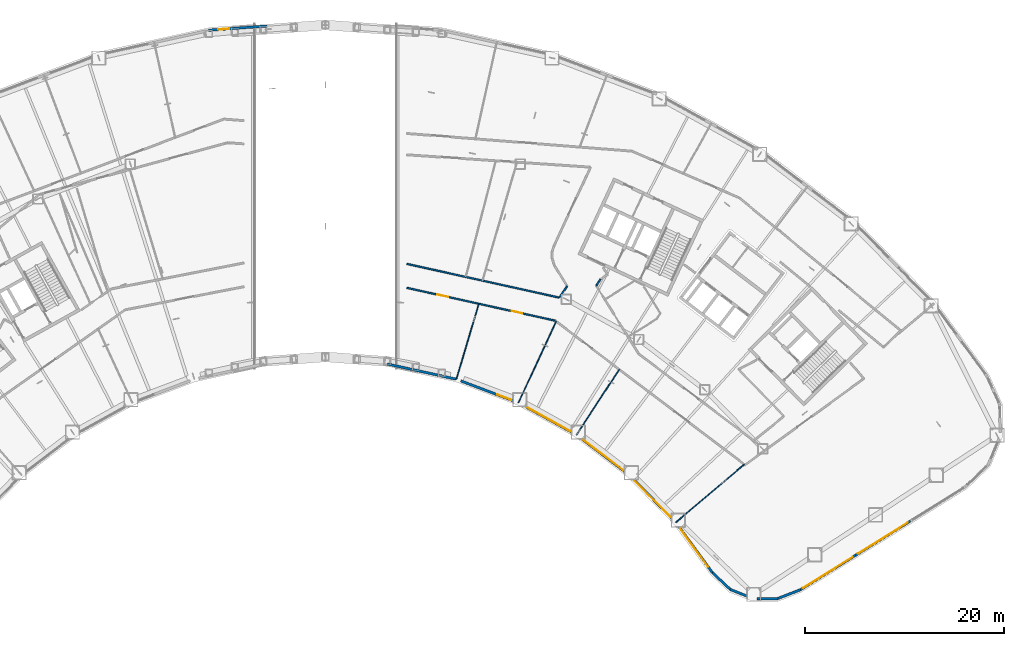
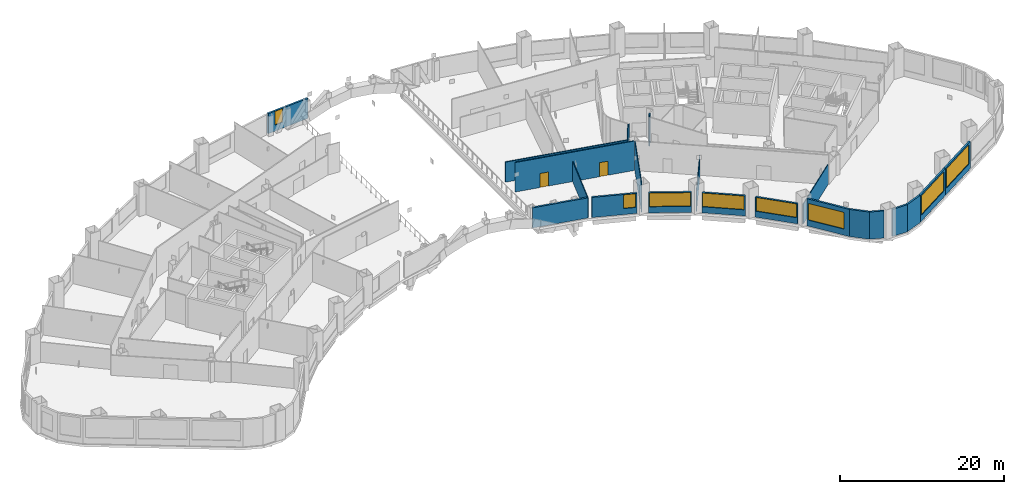
# One storey, part 9 of 24: 21 walls, 8 windows, 2 doors, 10 openings.
"""IFC4 building model written with IfcOpenShell, lengths in metres."""

import ifcopenshell
import ifcopenshell.guid

model = None  # the IFC model being written
_history = None  # IfcOwnerHistory: only IFC2X3 demands one
_inside = {}  # id of a spatial element -> (the spatial element, [elements in it])
_under = {}  # id of a project, library or spatial element -> (it, [spatial elements below it])
_declared = {}  # id of a project -> (the project, [libraries it declares])
_typed = {}  # id of a type object -> (the type object, [elements of that type])
_made_of = {}  # id of a material, layer set ... -> (it, [elements and type objects made of it])


def new_model(schema):
    """Start an empty IFC model of exactly this schema.

    Asked for "IFC4X3", IfcOpenShell would pick the latest addendum, in which some entities
    have other attributes; the version numbers below select the first issue.
    IFC2X3 requires an IfcOwnerHistory on every rooted entity: one is made here for all.
    """
    global model, _history
    if schema == "IFC4X3":
        model = ifcopenshell.file(schema_version=(4, 3, 0, 0))
    else:
        model = ifcopenshell.file(schema=schema)
    _inside.clear()
    _under.clear()
    _declared.clear()
    _typed.clear()
    _made_of.clear()
    _history = None
    if model.schema == "IFC2X3":
        org = make("IfcOrganization", Name="unknown")
        user = make(
            "IfcPersonAndOrganization",
            ThePerson=make("IfcPerson", FamilyName="unknown"),
            TheOrganization=org,
        )
        app = make(
            "IfcApplication",
            ApplicationDeveloper=org,
            Version="unknown",
            ApplicationFullName="unknown",
            ApplicationIdentifier="unknown",
        )
        _history = make(
            "IfcOwnerHistory",
            OwningUser=user,
            OwningApplication=app,
            ChangeAction="ADDED",
            CreationDate=0,
        )
    return model


def make(cls, **values):
    """One entity of the class cls with the attributes given. An attribute that is None is left unset."""
    return model.create_entity(
        cls, **{name: value for name, value in values.items() if value is not None}
    )


def rooted(cls, **values):
    """An entity with a GlobalId (a new one), such as an element, a storey or a relation."""
    return make(cls, GlobalId=ifcopenshell.guid.new(), OwnerHistory=_history, **values)


def si_unit(unit_type, name, prefix=None):
    """IfcSIUnit, for example si_unit("LENGTHUNIT", "METRE", prefix="MILLI")."""
    return make("IfcSIUnit", UnitType=unit_type, Prefix=prefix, Name=name)


def assignment(units):
    """IfcUnitAssignment: the units of a project."""
    return None if units is None else make("IfcUnitAssignment", Units=units)


def point(xyz):
    """IfcCartesianPoint."""
    return None if xyz is None else make("IfcCartesianPoint", Coordinates=xyz)


def direction(xyz):
    """IfcDirection."""
    return None if xyz is None else make("IfcDirection", DirectionRatios=xyz)


def frame(location, z_axis=None, x_axis=None):
    """IfcAxis2Placement3D, a coordinate frame: its origin and axes. An axis left out is left unset."""
    return make(
        "IfcAxis2Placement3D",
        Location=point(location),
        Axis=direction(z_axis),
        RefDirection=direction(x_axis),
    )


def frame_2d(location, x_axis=None):
    """IfcAxis2Placement2D, a coordinate frame in the plane: its origin and x axis."""
    return make(
        "IfcAxis2Placement2D", Location=point(location), RefDirection=direction(x_axis)
    )


def origin():
    """The frame at (0, 0, 0) with its axes left unset."""
    return frame((0.0, 0.0, 0.0))


def place(relative_to, where):
    """IfcLocalPlacement: puts the frame where relative to a parent placement (None: the world)."""
    return make(
        "IfcLocalPlacement", PlacementRelTo=relative_to, RelativePlacement=where
    )


def context(
    kind, dimensions, precision=None, world=None, true_north=None, identifier=None
):
    """IfcGeometricRepresentationContext, for example the 3D "Model" context."""
    return make(
        "IfcGeometricRepresentationContext",
        ContextIdentifier=identifier,
        ContextType=kind,
        CoordinateSpaceDimension=dimensions,
        Precision=precision,
        WorldCoordinateSystem=world,
        TrueNorth=true_north,
    )


def subcontext(parent, identifier, kind, view, scale=None):
    """IfcGeometricRepresentationSubContext, for example "Body" below "Model"."""
    return make(
        "IfcGeometricRepresentationSubContext",
        ContextIdentifier=identifier,
        ContextType=kind,
        ParentContext=parent,
        TargetScale=scale,
        TargetView=view,
    )


def project(units=None, contexts=None):
    """IfcProject with its units and contexts."""
    return rooted(
        "IfcProject",
        Name="project",
        RepresentationContexts=contexts,
        UnitsInContext=assignment(units),
    )


def spatial(cls, under=None, at=None, **own):
    """A site, building, storey or space (cls), placed at a placement, below another one or the project."""
    s = rooted(cls, ObjectPlacement=at, **own)
    if under is not None:
        _under.setdefault(under.id(), (under, []))[1].append(s)
    return s


def profile(cls, at=None, kind="AREA", **sizes):
    """A parametric profile (cls). Its sizes go by their IFC names, for example OverallWidth=200.0."""
    return make(cls, ProfileType=kind, Position=at, **sizes)


def rectangle(**sizes):
    """IfcRectangleProfileDef."""
    return profile("IfcRectangleProfileDef", **sizes)


def extrude(swept, where, along, depth):
    """IfcExtrudedAreaSolid: the profile swept, set in the frame where, extruded along a direction by depth."""
    return make(
        "IfcExtrudedAreaSolid",
        SweptArea=swept,
        Position=where,
        ExtrudedDirection=direction(along),
        Depth=depth,
    )


def shape(context_of_items, identifier, shape_type, items):
    """IfcShapeRepresentation: the items that make up one representation, for example the "Body"."""
    return make(
        "IfcShapeRepresentation",
        ContextOfItems=context_of_items,
        RepresentationIdentifier=identifier,
        RepresentationType=shape_type,
        Items=items,
    )


def material(Name=None, Category=None):
    """IfcMaterial."""
    return make("IfcMaterial", Name=Name, Category=Category)


def layer(
    of_material, thickness, ventilated=None, Name=None, Category=None, Priority=None
):
    """IfcMaterialLayer: one layer of a wall or slab, of a material (None: an air gap)."""
    return make(
        "IfcMaterialLayer",
        Material=of_material,
        LayerThickness=thickness,
        IsVentilated=ventilated,
        Name=Name,
        Category=Category,
        Priority=Priority,
    )


def layer_set(layers, Name=None):
    """IfcMaterialLayerSet."""
    return make("IfcMaterialLayerSet", MaterialLayers=layers, LayerSetName=Name)


def made_of(thing, what):
    """Note that an element or type object is made of a material, layer set ...; save() writes the relation."""
    if what is not None:
        _made_of.setdefault(what.id(), (what, []))[1].append(thing)
    return thing


def type_object(cls, material=None, **own):
    """A type object (cls), such as IfcWallType, which elements share."""
    return made_of(rooted(cls, **own), material)


def element(
    cls,
    number,
    at=None,
    inside=None,
    cuts=None,
    type_object=None,
    material=None,
    context=None,
    identifier="Body",
    shape_type=None,
    held_by="IfcProductDefinitionShape",
    body=None,
    shapes=None,
    **own,
):
    """One element of the class cls, such as IfcWall. Its Tag is "e" and its number.

    at: its placement. inside: the storey or other place that contains it. cuts: it is an
    opening in that element (IfcRelVoidsElement). A single representation is given by context,
    identifier, shape_type and body (its items); several are given by shapes. held_by: the class
    of the entity that holds the representations. save() writes the other relations.
    """
    e = rooted(cls, Tag="e%d" % number, ObjectPlacement=at, **own)
    if body is not None:
        shapes = [shape(context, identifier, shape_type, body)]
    if shapes is not None:
        e.Representation = make(held_by, Representations=shapes)
    if inside is not None:
        _inside.setdefault(inside.id(), (inside, []))[1].append(e)
    if cuts is not None:
        rooted(
            "IfcRelVoidsElement", RelatingBuildingElement=cuts, RelatedOpeningElement=e
        )
    if type_object is not None:
        _typed.setdefault(type_object.id(), (type_object, []))[1].append(e)
    return made_of(e, material)


def fill(opening, filler):
    """IfcRelFillsElement: the door or window that sits in an opening."""
    return rooted(
        "IfcRelFillsElement",
        RelatingOpeningElement=opening,
        RelatedBuildingElement=filler,
    )


def aggregate(whole, parts):
    """IfcRelAggregates: a whole, such as a stair, and the parts it consists of."""
    return rooted("IfcRelAggregates", RelatingObject=whole, RelatedObjects=parts)


def save(model, path):
    """Write the relations noted so far, then the file.

    IfcRelAggregates (storeys below a building ...), IfcRelContainedInSpatialStructure (elements
    in a storey), IfcRelDefinesByType, IfcRelAssociatesMaterial and IfcRelDeclares: one each for
    every whole, place, type object, material and project.
    """
    for whole, parts in _under.values():
        aggregate(whole, parts)
    for where, things in _inside.values():
        rooted(
            "IfcRelContainedInSpatialStructure",
            RelatedElements=things,
            RelatingStructure=where,
        )
    for kind, things in _typed.values():
        rooted("IfcRelDefinesByType", RelatedObjects=things, RelatingType=kind)
    for what, things in _made_of.values():
        rooted("IfcRelAssociatesMaterial", RelatedObjects=things, RelatingMaterial=what)
    for by, libraries in _declared.values():
        rooted("IfcRelDeclares", RelatingContext=by, RelatedDefinitions=libraries)
    model.write(path)


model = new_model("IFC4")

# Units and contexts
model_context = context("Model", 3, precision=1e-05, world=origin(), true_north=direction((0.0, 1.0)))
body_context = subcontext(model_context, "Body", "Model", "MODEL_VIEW")
ifc_project = project(units=[si_unit("LENGTHUNIT", "METRE"), si_unit("AREAUNIT", "SQUARE_METRE"), si_unit("VOLUMEUNIT", "CUBIC_METRE"), si_unit("PLANEANGLEUNIT", "RADIAN"), si_unit("MASSUNIT", "GRAM", prefix="KILO")], contexts=[model_context])

# Site, building, storey
site_placement = place(None, origin())
site = spatial("IfcSite", under=ifc_project, at=site_placement, CompositionType="ELEMENT")
building_placement = place(site_placement, origin())
building = spatial("IfcBuilding", under=site, at=building_placement, Name="Tuul Gate Civic Tower", CompositionType="ELEMENT")
storey_placement = place(building_placement, frame((0.0, 0.0, 21.89990234375)))
storey = spatial("IfcBuildingStorey", under=building, at=storey_placement, Name="Level 04", CompositionType="ELEMENT", Elevation=21.89990234375)

# Wall, openings, doors
ifc_material_1 = material(Name="Gypsum board partition")
ifc_layer_1 = layer(ifc_material_1, 0.14990234375)
ifc_layer_set_1 = layer_set([ifc_layer_1], Name="Gypsum board partition")
wall_type_1 = type_object("IfcWallType", Name="Corridor wall P150", PredefinedType="PARTITIONING", material=ifc_layer_set_1)
wall_1_placement = place(storey_placement, frame((8.20068359375, -6.5283203125, 0.0), z_axis=(0.0, 0.0, 1.0), x_axis=(0.976398058089, -0.215978777106, 0.0)))
wall_1 = element("IfcWall", 1, at=wall_1_placement, inside=storey, type_object=wall_type_1, Name="p034", PredefinedType="PARTITIONING", context=body_context, shape_type="SweptSolid", body=[
    extrude(rectangle(XDim=15.26708984375, YDim=0.14990234375, at=frame_2d((7.633544921875, 0.0))), origin(), (0.0, 0.0, 1.0), 4.400146484375),
])
opening_1_placement = place(wall_1_placement, frame((10.788330078125, 0.0, 0.0)))
opening_1 = element("IfcOpeningElement", 2, at=opening_1_placement, cuts=wall_1, Name="Opening QD-D16", PredefinedType="OPENING", context=body_context, shape_type="SweptSolid", body=[
    extrude(rectangle(XDim=1.10009765625, YDim=2.10009765625, at=frame_2d((0.550048828125, 1.050048828125))), frame((0.0, 0.0849609375, 0.0), z_axis=(0.0, -1.0, 0.0), x_axis=(1.0, 0.0, 0.0)), (0.0, 0.0, 1.0), 0.169921875),
])
opening_2_placement = place(wall_1_placement, frame((3.15478515625, 0.0, 0.0)))
opening_2 = element("IfcOpeningElement", 3, at=opening_2_placement, cuts=wall_1, Name="Opening QD-D17", PredefinedType="OPENING", context=body_context, shape_type="SweptSolid", body=[
    extrude(rectangle(XDim=1.10009765625, YDim=2.10009765625, at=frame_2d((0.550048828125, 1.050048828125))), frame((0.0, 0.0849609375, 0.0), z_axis=(0.0, -1.0, 0.0), x_axis=(1.0, 0.0, 0.0)), (0.0, 0.0, 1.0), 0.169921875),
])
ifc_material_2 = material(Name="Timber door leaf", Category="wood")
door_type = type_object("IfcDoorType", Name="Door D11", OperationType="NOTDEFINED", PredefinedType="DOOR", material=ifc_material_2)
door_1_placement = place(opening_1_placement, frame((1.10009765625, 0.0, 0.0), z_axis=(0.0, 0.0, 1.0), x_axis=(-1.0, 0.0, 0.0)))
door_1 = element("IfcDoor", 4, at=door_1_placement, inside=storey, type_object=door_type, Name="Door QD-D16", OperationType="SINGLE_SWING_LEFT", OverallHeight=2.10009765625, OverallWidth=1.10009765625, PredefinedType="DOOR", context=body_context, shape_type="SweptSolid", body=[
    extrude(rectangle(XDim=1.10009765625, YDim=2.10009765625, at=frame_2d((0.550048828125, 1.050048828125))), frame((0.0, 0.02490234375, 0.0), z_axis=(0.0, -1.0, 0.0), x_axis=(1.0, 0.0, 0.0)), (0.0, 0.0, 1.0), 0.050048828125),
])
fill(opening_1, door_1)
door_2_placement = place(opening_2_placement, frame((1.10009765625, 0.0, 0.0), z_axis=(0.0, 0.0, 1.0), x_axis=(-1.0, 0.0, 0.0)))
door_2 = element("IfcDoor", 5, at=door_2_placement, inside=storey, type_object=door_type, Name="Door QD-D17", OperationType="SINGLE_SWING_LEFT", OverallHeight=2.10009765625, OverallWidth=1.10009765625, PredefinedType="DOOR", context=body_context, shape_type="SweptSolid", body=[
    extrude(rectangle(XDim=1.10009765625, YDim=2.10009765625, at=frame_2d((0.550048828125, 1.050048828125))), frame((0.0, 0.02490234375, 0.0), z_axis=(0.0, -1.0, 0.0), x_axis=(1.0, 0.0, 0.0)), (0.0, 0.0, 1.0), 0.050048828125),
])
fill(opening_2, door_2)

# Walls
wall_2_placement = place(storey_placement, frame((23.533935546875, -7.497314453125, 0.0), z_axis=(0.0, 0.0, 1.0), x_axis=(0.562010649919, 0.827129995453, 0.0)))
element("IfcWall", 6, at=wall_2_placement, inside=storey, type_object=wall_type_1, Name="p055", PredefinedType="PARTITIONING", context=body_context, shape_type="SweptSolid", body=[
    extrude(rectangle(XDim=1.383056640625, YDim=0.14990234375, at=frame_2d((0.69140625, 0.0))), origin(), (0.0, 0.0, 1.0), 4.400146484375),
])
wall_3_placement = place(storey_placement, frame((27.242919921875, -6.30908203125, 0.0), z_axis=(0.0, 0.0, 1.0), x_axis=(0.562119761378, 0.827055846886, 0.0)))
element("IfcWall", 7, at=wall_3_placement, inside=storey, type_object=wall_type_1, Name="p085", PredefinedType="PARTITIONING", context=body_context, shape_type="SweptSolid", body=[
    extrude(rectangle(XDim=0.772216796875, YDim=0.14990234375, at=frame_2d((0.38623046875, 0.0))), origin(), (0.0, 0.0, 1.0), 4.400146484375),
])
ifc_material_3 = material(Name="Gypsum board partition")
ifc_layer_2 = layer(ifc_material_3, 0.14990234375)
ifc_layer_set_2 = layer_set([ifc_layer_2], Name="Gypsum board partition")
wall_type_2 = type_object("IfcWallType", Name="Corridor wall P150 3000 HIGH", PredefinedType="PARTITIONING", material=ifc_layer_set_2)
wall_4_placement = place(storey_placement, frame((8.2001953125, -4.120361328125, 0.0), z_axis=(0.0, 0.0, 1.0), x_axis=(0.976414372399, -0.215905010068, 0.0)))
element("IfcWall", 8, at=wall_4_placement, inside=storey, type_object=wall_type_2, Name="p056", PredefinedType="PARTITIONING", context=body_context, shape_type="SweptSolid", body=[
    extrude(rectangle(XDim=15.681640625, YDim=0.14990234375, at=frame_2d((7.8408203125, 0.0))), origin(), (0.0, 0.0, 1.0), 3.0),
])

# Wall, opening, window
ifc_material_4 = material(Name="Precast concrete C40/50", Category="concrete")
ifc_layer_3 = layer(ifc_material_4, 0.25)
ifc_layer_set_3 = layer_set([ifc_layer_3], Name="Precast concrete C40/50")
wall_type_3 = type_object("IfcWallType", Name="External wall", PredefinedType="STANDARD", material=ifc_layer_set_3)
wall_5_placement = place(storey_placement, frame((35.6015625, -30.615966796875, 0.0), z_axis=(0.0, 0.0, 1.0), x_axis=(0.589744217154, -0.807590093013, 0.0)))
wall_5 = element("IfcWall", 9, at=wall_5_placement, inside=storey, type_object=wall_type_3, Name="External wall", PredefinedType="STANDARD", context=body_context, shape_type="SweptSolid", body=[
    extrude(rectangle(XDim=5.6640625, YDim=0.25, at=frame_2d((2.83203125, 0.0))), origin(), (0.0, 0.0, 1.0), 4.050048828125),
])
opening_3_placement = place(wall_5_placement, frame((0.157958984375, 0.0, 0.89990234375)))
opening_3 = element("IfcOpeningElement", 10, at=opening_3_placement, cuts=wall_5, Name="Opening W138", PredefinedType="OPENING", context=body_context, shape_type="SweptSolid", body=[
    extrude(rectangle(XDim=4.75, YDim=2.5, at=frame_2d((2.375, 1.25))), frame((0.0, 0.135009765625, 0.0), z_axis=(0.0, -1.0, 0.0), x_axis=(1.0, 0.0, 0.0)), (0.0, 0.0, 1.0), 0.27001953125),
])
ifc_material_5 = material(Name="Glass", Category="glass")
window_type_1 = type_object("IfcWindowType", Name="Window W138 4750 x 2500", PartitioningType="SINGLE_PANEL", PredefinedType="WINDOW", material=ifc_material_5)
window_1_placement = place(opening_3_placement, origin())
window_1 = element("IfcWindow", 11, at=window_1_placement, inside=storey, type_object=window_type_1, Name="Window", OverallHeight=2.5, OverallWidth=4.75, PartitioningType="SINGLE_PANEL", PredefinedType="WINDOW", context=body_context, shape_type="SweptSolid", body=[
    extrude(rectangle(XDim=4.75, YDim=2.5, at=frame_2d((2.375, 1.25))), frame((0.0, 0.030029296875, 0.0), z_axis=(0.0, -1.0, 0.0), x_axis=(1.0, 0.0, 0.0)), (0.0, 0.0, 1.0), 0.06005859375),
])
fill(opening_3, window_1)

# Walls
wall_6_placement = place(storey_placement, frame((38.926513671875, -35.1728515625, 0.0), z_axis=(0.0, 0.0, 1.0), x_axis=(0.729855985574, -0.683600936455, 0.0)))
element("IfcWall", 12, at=wall_6_placement, inside=storey, type_object=wall_type_3, Name="External wall", PredefinedType="STANDARD", context=body_context, shape_type="SweptSolid", body=[
    extrude(rectangle(XDim=2.507080078125, YDim=0.25, at=frame_2d((1.25341796875, 0.0))), origin(), (0.0, 0.0, 1.0), 4.050048828125),
])
wall_7_placement = place(storey_placement, frame((40.717041015625, -36.86181640625, 0.0), z_axis=(0.0, 0.0, 1.0), x_axis=(0.929466539536, -0.368906427001, 0.0)))
element("IfcWall", 13, at=wall_7_placement, inside=storey, type_object=wall_type_3, Name="External wall", PredefinedType="STANDARD", context=body_context, shape_type="SweptSolid", body=[
    extrude(rectangle(XDim=1.81396484375, YDim=0.25, at=frame_2d((0.906982421875, 0.0))), origin(), (0.0, 0.0, 1.0), 4.050048828125),
])
wall_8_placement = place(storey_placement, frame((43.40478515625, -37.779296875, 0.0), z_axis=(0.0, 0.0, 1.0), x_axis=(0.999995085421, -0.003135144834, 0.0)))
element("IfcWall", 14, at=wall_8_placement, inside=storey, type_object=wall_type_3, Name="External wall", PredefinedType="STANDARD", context=body_context, shape_type="SweptSolid", body=[
    extrude(rectangle(XDim=2.1025390625, YDim=0.25, at=frame_2d((1.05126953125, 0.0))), origin(), (0.0, 0.0, 1.0), 4.050048828125),
])
wall_9_placement = place(storey_placement, frame((45.461669921875, -37.79443359375, 0.0), z_axis=(0.0, 0.0, 1.0), x_axis=(0.931986397936, 0.36249324692, 0.0)))
element("IfcWall", 15, at=wall_9_placement, inside=storey, type_object=wall_type_3, Name="External wall", PredefinedType="STANDARD", context=body_context, shape_type="SweptSolid", body=[
    extrude(rectangle(XDim=2.507568359375, YDim=0.25, at=frame_2d((1.25390625, 0.0))), origin(), (0.0, 0.0, 1.0), 4.050048828125),
])

# Wall, opening, window
wall_10_placement = place(storey_placement, frame((47.77783203125, -36.89599609375, 0.0), z_axis=(0.0, 0.0, 1.0), x_axis=(0.848025609636, 0.529955248489, 0.0)))
wall_10 = element("IfcWall", 16, at=wall_10_placement, inside=storey, type_object=wall_type_3, Name="External wall", PredefinedType="STANDARD", context=body_context, shape_type="SweptSolid", body=[
    extrude(rectangle(XDim=6.52978515625, YDim=0.25, at=frame_2d((3.264892578125, 0.0))), origin(), (0.0, 0.0, 1.0), 4.050048828125),
])
opening_4_placement = place(wall_10_placement, frame((0.314697265625, 0.0, 0.89990234375)))
opening_4 = element("IfcOpeningElement", 17, at=opening_4_placement, cuts=wall_10, Name="Opening W14", PredefinedType="OPENING", context=body_context, shape_type="SweptSolid", body=[
    extrude(rectangle(XDim=5.89990234375, YDim=2.89990234375, at=frame_2d((2.949951171875, 1.449951171875))), frame((0.0, 0.135009765625, 0.0), z_axis=(0.0, -1.0, 0.0), x_axis=(1.0, 0.0, 0.0)), (0.0, 0.0, 1.0), 0.27001953125),
])
ifc_material_6 = material(Name="Glass", Category="glass")
window_type_2 = type_object("IfcWindowType", Name="Window W14 5900 x 2900", PartitioningType="SINGLE_PANEL", PredefinedType="WINDOW", material=ifc_material_6)
window_2_placement = place(opening_4_placement, origin())
window_2 = element("IfcWindow", 18, at=window_2_placement, inside=storey, type_object=window_type_2, Name="Window", OverallHeight=2.89990234375, OverallWidth=5.89990234375, PartitioningType="SINGLE_PANEL", PredefinedType="WINDOW", context=body_context, shape_type="SweptSolid", body=[
    extrude(rectangle(XDim=5.89990234375, YDim=2.89990234375, at=frame_2d((2.949951171875, 1.449951171875))), frame((0.0, 0.030029296875, 0.0), z_axis=(0.0, -1.0, 0.0), x_axis=(1.0, 0.0, 0.0)), (0.0, 0.0, 1.0), 0.06005859375),
])
fill(opening_4, window_2)

wall_11_placement = place(storey_placement, frame((53.315185546875, -33.435546875, 0.0), z_axis=(0.0, 0.0, 1.0), x_axis=(0.848042412856, 0.529928359306, 0.0)))
wall_11 = element("IfcWall", 19, at=wall_11_placement, inside=storey, type_object=wall_type_3, Name="External wall", PredefinedType="STANDARD", context=body_context, shape_type="SweptSolid", body=[
    extrude(rectangle(XDim=6.529541015625, YDim=0.25, at=frame_2d((3.2646484375, 0.0))), origin(), (0.0, 0.0, 1.0), 4.050048828125),
])
opening_5_placement = place(wall_11_placement, frame((0.314697265625, 0.0, 0.89990234375)))
opening_5 = element("IfcOpeningElement", 20, at=opening_5_placement, cuts=wall_11, Name="Opening W14", PredefinedType="OPENING", context=body_context, shape_type="SweptSolid", body=[
    extrude(rectangle(XDim=5.89990234375, YDim=2.89990234375, at=frame_2d((2.949951171875, 1.449951171875))), frame((0.0, 0.135009765625, 0.0), z_axis=(0.0, -1.0, 0.0), x_axis=(1.0, 0.0, 0.0)), (0.0, 0.0, 1.0), 0.27001953125),
])
window_3_placement = place(opening_5_placement, origin())
window_3 = element("IfcWindow", 21, at=window_3_placement, inside=storey, type_object=window_type_2, Name="Window", OverallHeight=2.89990234375, OverallWidth=5.89990234375, PartitioningType="SINGLE_PANEL", PredefinedType="WINDOW", context=body_context, shape_type="SweptSolid", body=[
    extrude(rectangle(XDim=5.89990234375, YDim=2.89990234375, at=frame_2d((2.949951171875, 1.449951171875))), frame((0.0, 0.030029296875, 0.0), z_axis=(0.0, -1.0, 0.0), x_axis=(1.0, 0.0, 0.0)), (0.0, 0.0, 1.0), 0.06005859375),
])
fill(opening_5, window_3)

ifc_material_7 = material(Name="Precast concrete C40/50", Category="concrete")
ifc_layer_4 = layer(ifc_material_7, 0.25)
ifc_layer_set_4 = layer_set([ifc_layer_4], Name="Precast concrete C40/50")
wall_type_4 = type_object("IfcWallType", Name="External wall 3000 HIGH", PredefinedType="STANDARD", material=ifc_layer_set_4)
wall_12_placement = place(storey_placement, frame((-5.89208984375, 19.812744140625, 0.0), z_axis=(0.0, 0.0, 1.0), x_axis=(-0.997387174204, -0.072241433629, 0.0)))
wall_12 = element("IfcWall", 22, at=wall_12_placement, inside=storey, type_object=wall_type_4, Name="External wall", PredefinedType="STANDARD", context=body_context, shape_type="SweptSolid", body=[
    extrude(rectangle(XDim=5.897216796875, YDim=0.25, at=frame_2d((2.94873046875, 0.0))), origin(), (0.0, 0.0, 1.0), 3.0),
])
opening_6_placement = place(wall_12_placement, frame((3.76708984375, 0.0, 0.89990234375)))
opening_6 = element("IfcOpeningElement", 23, at=opening_6_placement, cuts=wall_12, Name="Opening W95", PredefinedType="OPENING", context=body_context, shape_type="SweptSolid", body=[
    extrude(rectangle(XDim=1.14990234375, YDim=2.050048828125, at=frame_2d((0.574951171875, 1.02490234375))), frame((0.0, 0.135009765625, 0.0), z_axis=(0.0, -1.0, 0.0), x_axis=(1.0, 0.0, 0.0)), (0.0, 0.0, 1.0), 0.27001953125),
])
ifc_material_8 = material(Name="Glass", Category="glass")
window_type_3 = type_object("IfcWindowType", Name="Window W95 1150 x 2050", PartitioningType="SINGLE_PANEL", PredefinedType="WINDOW", material=ifc_material_8)
window_4_placement = place(opening_6_placement, origin())
window_4 = element("IfcWindow", 24, at=window_4_placement, inside=storey, type_object=window_type_3, Name="Window", OverallHeight=2.050048828125, OverallWidth=1.14990234375, PartitioningType="SINGLE_PANEL", PredefinedType="WINDOW", context=body_context, shape_type="SweptSolid", body=[
    extrude(rectangle(XDim=1.14990234375, YDim=2.050048828125, at=frame_2d((0.574951171875, 1.02490234375))), frame((0.0, 0.030029296875, 0.0), z_axis=(0.0, -1.0, 0.0), x_axis=(1.0, 0.0, 0.0)), (0.0, 0.0, 1.0), 0.06005859375),
])
fill(opening_6, window_4)

# Wall
wall_13_placement = place(storey_placement, frame((6.21142578125, -14.1826171875, 0.0), z_axis=(0.0, 0.0, 1.0), x_axis=(0.976556284113, -0.215262221393, 0.0)))
element("IfcWall", 25, at=wall_13_placement, inside=storey, type_object=wall_type_4, Name="External wall", PredefinedType="STANDARD", context=body_context, shape_type="SweptSolid", body=[
    extrude(rectangle(XDim=7.082763671875, YDim=0.25, at=frame_2d((3.54150390625, 0.0))), origin(), (0.0, 0.0, 1.0), 3.0),
])

# Wall, opening, window
wall_14_placement = place(storey_placement, frame((13.618896484375, -15.88525390625, 0.0), z_axis=(0.0, 0.0, 1.0), x_axis=(0.935352917822, -0.353715873439, 0.0)))
wall_14 = element("IfcWall", 26, at=wall_14_placement, inside=storey, type_object=wall_type_4, Name="External wall", PredefinedType="STANDARD", context=body_context, shape_type="SweptSolid", body=[
    extrude(rectangle(XDim=5.60107421875, YDim=0.25, at=frame_2d((2.800537109375, 0.0))), origin(), (0.0, 0.0, 1.0), 3.0),
])
opening_7_placement = place(wall_14_placement, frame((3.919921875, 0.0, 0.89990234375)))
opening_7 = element("IfcOpeningElement", 27, at=opening_7_placement, cuts=wall_14, Name="Opening W98", PredefinedType="OPENING", context=body_context, shape_type="SweptSolid", body=[
    extrude(rectangle(XDim=1.5, YDim=2.050048828125, at=frame_2d((0.75, 1.02490234375))), frame((0.0, 0.135009765625, 0.0), z_axis=(0.0, -1.0, 0.0), x_axis=(1.0, 0.0, 0.0)), (0.0, 0.0, 1.0), 0.27001953125),
])
ifc_material_9 = material(Name="Glass", Category="glass")
window_type_4 = type_object("IfcWindowType", Name="Window W98 1500 x 2050", PartitioningType="SINGLE_PANEL", PredefinedType="WINDOW", material=ifc_material_9)
window_5_placement = place(opening_7_placement, origin())
window_5 = element("IfcWindow", 28, at=window_5_placement, inside=storey, type_object=window_type_4, Name="Window", OverallHeight=2.050048828125, OverallWidth=1.5, PartitioningType="SINGLE_PANEL", PredefinedType="WINDOW", context=body_context, shape_type="SweptSolid", body=[
    extrude(rectangle(XDim=1.5, YDim=2.050048828125, at=frame_2d((0.75, 1.02490234375))), frame((0.0, 0.030029296875, 0.0), z_axis=(0.0, -1.0, 0.0), x_axis=(1.0, 0.0, 0.0)), (0.0, 0.0, 1.0), 0.06005859375),
])
fill(opening_7, window_5)

wall_15_placement = place(storey_placement, frame((20.149169921875, -18.48291015625, 0.0), z_axis=(0.0, 0.0, 1.0), x_axis=(0.874655082175, -0.4847457965, 0.0)))
wall_15 = element("IfcWall", 29, at=wall_15_placement, inside=storey, type_object=wall_type_4, Name="External wall", PredefinedType="STANDARD", context=body_context, shape_type="SweptSolid", body=[
    extrude(rectangle(XDim=5.24658203125, YDim=0.25, at=frame_2d((2.623291015625, 0.0))), origin(), (0.0, 0.0, 1.0), 3.0),
])
opening_8_placement = place(wall_15_placement, frame((0.092041015625, 0.0, 0.89990234375)))
opening_8 = element("IfcOpeningElement", 30, at=opening_8_placement, cuts=wall_15, Name="Opening W97", PredefinedType="OPENING", context=body_context, shape_type="SweptSolid", body=[
    extrude(rectangle(XDim=5.050048828125, YDim=2.050048828125, at=frame_2d((2.52490234375, 1.02490234375))), frame((0.0, 0.135009765625, 0.0), z_axis=(0.0, -1.0, 0.0), x_axis=(1.0, 0.0, 0.0)), (0.0, 0.0, 1.0), 0.27001953125),
])
ifc_material_10 = material(Name="Glass", Category="glass")
window_type_5 = type_object("IfcWindowType", Name="Window W97 5050 x 2050", PartitioningType="SINGLE_PANEL", PredefinedType="WINDOW", material=ifc_material_10)
window_6_placement = place(opening_8_placement, origin())
window_6 = element("IfcWindow", 31, at=window_6_placement, inside=storey, type_object=window_type_5, Name="Window", OverallHeight=2.050048828125, OverallWidth=5.050048828125, PartitioningType="SINGLE_PANEL", PredefinedType="WINDOW", context=body_context, shape_type="SweptSolid", body=[
    extrude(rectangle(XDim=5.050048828125, YDim=2.050048828125, at=frame_2d((2.52490234375, 1.02490234375))), frame((0.0, 0.030029296875, 0.0), z_axis=(0.0, -1.0, 0.0), x_axis=(1.0, 0.0, 0.0)), (0.0, 0.0, 1.0), 0.06005859375),
])
fill(opening_8, window_6)

wall_16_placement = place(storey_placement, frame((25.821533203125, -21.742919921875, 0.0), z_axis=(0.0, 0.0, 1.0), x_axis=(0.795633484335, -0.605778308134, 0.0)))
wall_16 = element("IfcWall", 32, at=wall_16_placement, inside=storey, type_object=wall_type_4, Name="External wall", PredefinedType="STANDARD", context=body_context, shape_type="SweptSolid", body=[
    extrude(rectangle(XDim=5.35986328125, YDim=0.25, at=frame_2d((2.679931640625, 0.0))), origin(), (0.0, 0.0, 1.0), 3.0),
])
opening_9_placement = place(wall_16_placement, frame((0.055908203125, 0.0, 0.89990234375)))
opening_9 = element("IfcOpeningElement", 33, at=opening_9_placement, cuts=wall_16, Name="Opening W96", PredefinedType="OPENING", context=body_context, shape_type="SweptSolid", body=[
    extrude(rectangle(XDim=5.14990234375, YDim=2.050048828125, at=frame_2d((2.574951171875, 1.02490234375))), frame((0.0, 0.135009765625, 0.0), z_axis=(0.0, -1.0, 0.0), x_axis=(1.0, 0.0, 0.0)), (0.0, 0.0, 1.0), 0.27001953125),
])
ifc_material_11 = material(Name="Glass", Category="glass")
window_type_6 = type_object("IfcWindowType", Name="Window W96 5150 x 2050", PartitioningType="SINGLE_PANEL", PredefinedType="WINDOW", material=ifc_material_11)
window_7_placement = place(opening_9_placement, origin())
window_7 = element("IfcWindow", 34, at=window_7_placement, inside=storey, type_object=window_type_6, Name="Window", OverallHeight=2.050048828125, OverallWidth=5.14990234375, PartitioningType="SINGLE_PANEL", PredefinedType="WINDOW", context=body_context, shape_type="SweptSolid", body=[
    extrude(rectangle(XDim=5.14990234375, YDim=2.050048828125, at=frame_2d((2.574951171875, 1.02490234375))), frame((0.0, 0.030029296875, 0.0), z_axis=(0.0, -1.0, 0.0), x_axis=(1.0, 0.0, 0.0)), (0.0, 0.0, 1.0), 0.06005859375),
])
fill(opening_9, window_7)

wall_17_placement = place(storey_placement, frame((31.017822265625, -25.81494140625, 0.0), z_axis=(0.0, 0.0, 1.0), x_axis=(0.700007573651, -0.714135419112, 0.0)))
wall_17 = element("IfcWall", 35, at=wall_17_placement, inside=storey, type_object=wall_type_4, Name="External wall", PredefinedType="STANDARD", context=body_context, shape_type="SweptSolid", body=[
    extrude(rectangle(XDim=5.3916015625, YDim=0.25, at=frame_2d((2.69580078125, 0.0))), origin(), (0.0, 0.0, 1.0), 3.0),
])
opening_10_placement = place(wall_17_placement, frame((0.1240234375, 0.0, 0.89990234375)))
opening_10 = element("IfcOpeningElement", 36, at=opening_10_placement, cuts=wall_17, Name="Opening W96", PredefinedType="OPENING", context=body_context, shape_type="SweptSolid", body=[
    extrude(rectangle(XDim=5.14990234375, YDim=2.050048828125, at=frame_2d((2.574951171875, 1.02490234375))), frame((0.0, 0.135009765625, 0.0), z_axis=(0.0, -1.0, 0.0), x_axis=(1.0, 0.0, 0.0)), (0.0, 0.0, 1.0), 0.27001953125),
])
window_8_placement = place(opening_10_placement, origin())
window_8 = element("IfcWindow", 37, at=window_8_placement, inside=storey, type_object=window_type_6, Name="Window", OverallHeight=2.050048828125, OverallWidth=5.14990234375, PartitioningType="SINGLE_PANEL", PredefinedType="WINDOW", context=body_context, shape_type="SweptSolid", body=[
    extrude(rectangle(XDim=5.14990234375, YDim=2.050048828125, at=frame_2d((2.574951171875, 1.02490234375))), frame((0.0, 0.030029296875, 0.0), z_axis=(0.0, -1.0, 0.0), x_axis=(1.0, 0.0, 0.0)), (0.0, 0.0, 1.0), 0.06005859375),
])
fill(opening_10, window_8)

# Walls
ifc_material_12 = material(Name="Gypsum board partition")
ifc_layer_5 = layer(ifc_material_12, 0.10009765625)
ifc_layer_set_5 = layer_set([ifc_layer_5], Name="Gypsum board partition")
wall_type_5 = type_object("IfcWallType", Name="Partition P100", PredefinedType="PARTITIONING", material=ifc_layer_set_5)
wall_18_placement = place(storey_placement, frame((19.418701171875, -18.083984375, 0.0), z_axis=(0.0, 0.0, 1.0), x_axis=(0.420345238748, 0.907364248944, 0.0)))
element("IfcWall", 38, at=wall_18_placement, inside=storey, type_object=wall_type_5, Name="p032", PredefinedType="PARTITIONING", context=body_context, shape_type="SweptSolid", body=[
    extrude(rectangle(XDim=9.018798828125, YDim=0.10009765625, at=frame_2d((4.50927734375, 0.0))), origin(), (0.0, 0.0, 1.0), 4.400146484375),
])
ifc_material_13 = material(Name="Gypsum board partition")
ifc_layer_6 = layer(ifc_material_13, 0.10009765625)
ifc_layer_set_6 = layer_set([ifc_layer_6], Name="Gypsum board partition")
wall_type_6 = type_object("IfcWallType", Name="Partition P100 3000 HIGH", PredefinedType="PARTITIONING", material=ifc_layer_set_6)
wall_19_placement = place(storey_placement, frame((35.239990234375, -30.12939453125, 0.0), z_axis=(0.0, 0.0, 1.0), x_axis=(0.762821541076, 0.646609075463, 0.0)))
element("IfcWall", 39, at=wall_19_placement, inside=storey, type_object=wall_type_6, Name="p003", PredefinedType="PARTITIONING", context=body_context, shape_type="SweptSolid", body=[
    extrude(rectangle(XDim=9.039794921875, YDim=0.10009765625, at=frame_2d((4.52001953125, 0.0))), origin(), (0.0, 0.0, 1.0), 3.0),
])
wall_20_placement = place(storey_placement, frame((25.2568359375, -21.3193359375, 0.0), z_axis=(0.0, 0.0, 1.0), x_axis=(0.546731222939, 0.837308168994, 0.0)))
element("IfcWall", 40, at=wall_20_placement, inside=storey, type_object=wall_type_6, Name="p030", PredefinedType="PARTITIONING", context=body_context, shape_type="SweptSolid", body=[
    extrude(rectangle(XDim=7.87255859375, YDim=0.10009765625, at=frame_2d((3.936279296875, 0.0))), origin(), (0.0, 0.0, 1.0), 3.0),
])
wall_21_placement = place(storey_placement, frame((13.175537109375, -15.722900390625, 0.0), z_axis=(0.0, 0.0, 1.0), x_axis=(0.285204396421, 0.958466719434, 0.0)))
element("IfcWall", 41, at=wall_21_placement, inside=storey, type_object=wall_type_6, Name="p033", PredefinedType="PARTITIONING", context=body_context, shape_type="SweptSolid", body=[
    extrude(rectangle(XDim=7.92333984375, YDim=0.10009765625, at=frame_2d((3.961669921875, 0.0))), origin(), (0.0, 0.0, 1.0), 3.0),
])

save(model, "model.ifc")
